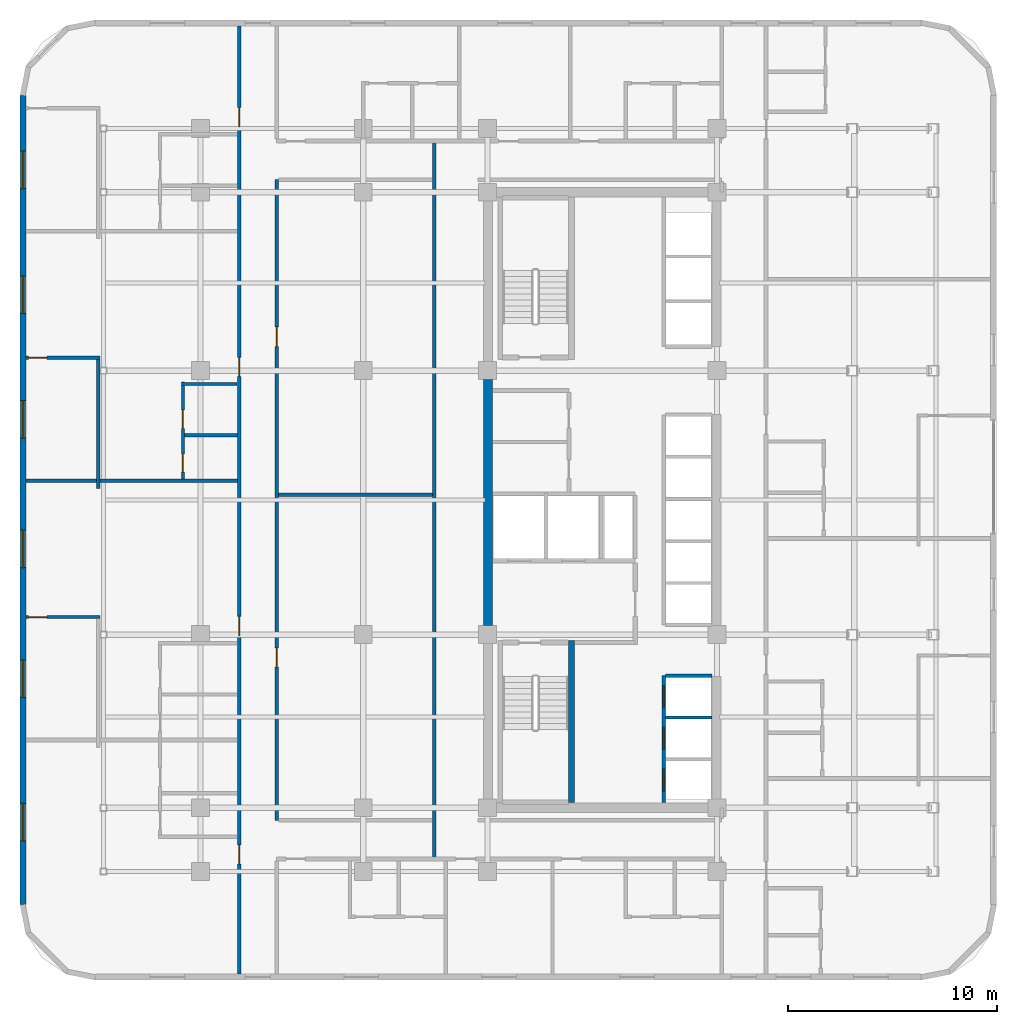
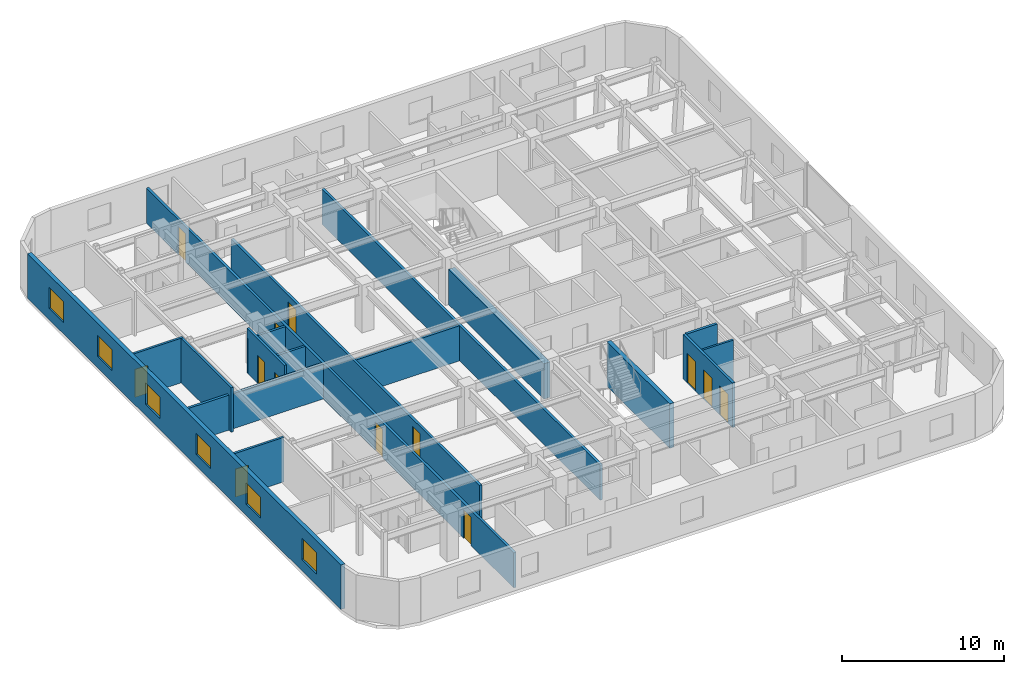
# One storey, part 8 of 13: 17 walls, 13 doors, 6 windows, 19 openings.
"""IFC4 building model written with IfcOpenShell, lengths in metres."""

from ifc_helpers import new_model, si_unit, direction, frame, frame_2d, origin, place, context, subcontext, project, spatial, rectangle, extrude, material, layer, layer_set, type_object, element, fill, save


model = new_model("IFC4")

# Units and contexts
model_context = context("Model", 3, precision=1e-05, world=origin(), true_north=direction((0.0, 1.0)))
body_context = subcontext(model_context, "Body", "Model", "MODEL_VIEW")
ifc_project = project(units=[si_unit("LENGTHUNIT", "METRE"), si_unit("AREAUNIT", "SQUARE_METRE"), si_unit("VOLUMEUNIT", "CUBIC_METRE"), si_unit("PLANEANGLEUNIT", "RADIAN"), si_unit("MASSUNIT", "GRAM", prefix="KILO")], contexts=[model_context])

# Site, building, storey
site_placement = place(None, origin())
site = spatial("IfcSite", under=ifc_project, at=site_placement, CompositionType="ELEMENT")
building_placement = place(site_placement, origin())
building = spatial("IfcBuilding", under=site, at=building_placement, Name="Ochreholt Gables", CompositionType="ELEMENT")
storey_placement = place(building_placement, frame((0.0, 0.0, 49.199951171875)))
storey = spatial("IfcBuildingStorey", under=building, at=storey_placement, Name="L12", CompositionType="ELEMENT", Elevation=49.199951171875)

# Wall
ifc_material_1 = material(Name="Concrete 60 MPa", Category="concrete")
ifc_layer_1 = layer(ifc_material_1, 0.449951171875, Name="Concrete 60 MPa")
ifc_layer_set_1 = layer_set([ifc_layer_1], Name="Concrete 60 MPa")
wall_type_1 = type_object("IfcWallType", Name="WALL-CSW-450", PredefinedType="SHEAR", material=ifc_layer_set_1)
wall_1_placement = place(storey_placement, frame((24.22509765625, 17.97509765625, 0.0), z_axis=(0.0, 0.0, 1.0), x_axis=(0.0, 1.0, 0.0)))
element("IfcWall", 1, at=wall_1_placement, inside=storey, type_object=wall_type_1, Name="L12 Core West Shear Wall WM", PredefinedType="SHEAR", context=body_context, shape_type="SweptSolid", body=[
    extrude(rectangle(XDim=11.7998046875, YDim=0.449951171875, at=frame_2d((5.89990234375, 0.0))), origin(), (0.0, 0.0, 1.0), 2.6669921875),
])

# Wall, openings, windows
ifc_material_2 = material(Name="Precast concrete 40 MPa", Category="concrete")
ifc_layer_2 = layer(ifc_material_2, 0.2900390625, Name="Precast concrete 40 MPa")
ifc_layer_set_2 = layer_set([ifc_layer_2], Name="Precast concrete 40 MPa")
wall_type_2 = type_object("IfcWallType", Name="WALL-EXT-290", PredefinedType="SOLIDWALL", material=ifc_layer_set_2)
wall_2_placement = place(storey_placement, frame((1.945068359375, 43.3798828125, 0.0), z_axis=(0.0, 0.0, 1.0), x_axis=(0.0, -1.0, 0.0)))
wall_2 = element("IfcWall", 2, at=wall_2_placement, inside=storey, type_object=wall_type_2, Name="L12 West Exterior Wall", PredefinedType="SOLIDWALL", context=body_context, shape_type="SweptSolid", body=[
    extrude(rectangle(XDim=38.759765625, YDim=0.2900390625, at=frame_2d((19.3798828125, 0.0))), origin(), (0.0, 0.0, 1.0), 3.360107421875),
])
opening_1_placement = place(wall_2_placement, frame((33.919921875, 0.0, 0.85009765625)))
opening_1 = element("IfcOpeningElement", 3, at=opening_1_placement, cuts=wall_2, Name="Opening WN-1", PredefinedType="OPENING", context=body_context, shape_type="SweptSolid", body=[
    extrude(rectangle(XDim=1.800048828125, YDim=1.60009765625, at=frame_2d((0.89990234375, 0.800048828125))), frame((0.0, 0.155029296875, 0.0), z_axis=(0.0, -1.0, 0.0), x_axis=(1.0, 0.0, 0.0)), (0.0, 0.0, 1.0), 0.31005859375),
])
opening_2_placement = place(wall_2_placement, frame((27.034912109375, 0.0, 0.85009765625)))
opening_2 = element("IfcOpeningElement", 4, at=opening_2_placement, cuts=wall_2, Name="Opening WN-1", PredefinedType="OPENING", context=body_context, shape_type="SweptSolid", body=[
    extrude(rectangle(XDim=1.800048828125, YDim=1.60009765625, at=frame_2d((0.89990234375, 0.800048828125))), frame((0.0, 0.155029296875, 0.0), z_axis=(0.0, -1.0, 0.0), x_axis=(1.0, 0.0, 0.0)), (0.0, 0.0, 1.0), 0.31005859375),
])
opening_3_placement = place(wall_2_placement, frame((20.824951171875, 0.0, 0.85009765625)))
opening_3 = element("IfcOpeningElement", 5, at=opening_3_placement, cuts=wall_2, Name="Opening WN-1", PredefinedType="OPENING", context=body_context, shape_type="SweptSolid", body=[
    extrude(rectangle(XDim=1.800048828125, YDim=1.60009765625, at=frame_2d((0.89990234375, 0.800048828125))), frame((0.0, 0.155029296875, 0.0), z_axis=(0.0, -1.0, 0.0), x_axis=(1.0, 0.0, 0.0)), (0.0, 0.0, 1.0), 0.31005859375),
])
opening_4_placement = place(wall_2_placement, frame((14.614990234375, 0.0, 0.85009765625)))
opening_4 = element("IfcOpeningElement", 6, at=opening_4_placement, cuts=wall_2, Name="Opening WN-1", PredefinedType="OPENING", context=body_context, shape_type="SweptSolid", body=[
    extrude(rectangle(XDim=1.800048828125, YDim=1.60009765625, at=frame_2d((0.89990234375, 0.800048828125))), frame((0.0, 0.155029296875, 0.0), z_axis=(0.0, -1.0, 0.0), x_axis=(1.0, 0.0, 0.0)), (0.0, 0.0, 1.0), 0.31005859375),
])
opening_5_placement = place(wall_2_placement, frame((8.635009765625, 0.0, 0.85009765625)))
opening_5 = element("IfcOpeningElement", 7, at=opening_5_placement, cuts=wall_2, Name="Opening WN-1", PredefinedType="OPENING", context=body_context, shape_type="SweptSolid", body=[
    extrude(rectangle(XDim=1.800048828125, YDim=1.60009765625, at=frame_2d((0.89990234375, 0.800048828125))), frame((0.0, 0.155029296875, 0.0), z_axis=(0.0, -1.0, 0.0), x_axis=(1.0, 0.0, 0.0)), (0.0, 0.0, 1.0), 0.31005859375),
])
opening_6_placement = place(wall_2_placement, frame((2.655029296875, 0.0, 0.85009765625)))
opening_6 = element("IfcOpeningElement", 8, at=opening_6_placement, cuts=wall_2, Name="Opening WN-1", PredefinedType="OPENING", context=body_context, shape_type="SweptSolid", body=[
    extrude(rectangle(XDim=1.800048828125, YDim=1.60009765625, at=frame_2d((0.89990234375, 0.800048828125))), frame((0.0, 0.155029296875, 0.0), z_axis=(0.0, -1.0, 0.0), x_axis=(1.0, 0.0, 0.0)), (0.0, 0.0, 1.0), 0.31005859375),
])
ifc_material_3 = material(Name="Triple-Glazed Thermally Broken Aluminium Window", Category="aluminium")
window_type = type_object("IfcWindowType", Name="WIN-RES-1800", PartitioningType="SINGLE_PANEL", PredefinedType="WINDOW", material=ifc_material_3)
window_1_placement = place(opening_1_placement, origin())
window_1 = element("IfcWindow", 9, at=window_1_placement, inside=storey, type_object=window_type, Name="L12 Window W-EXT-W-L12-1", OverallHeight=1.60009765625, OverallWidth=1.800048828125, PartitioningType="SINGLE_PANEL", PredefinedType="WINDOW", context=body_context, shape_type="SweptSolid", body=[
    extrude(rectangle(XDim=1.800048828125, YDim=1.60009765625, at=frame_2d((0.89990234375, 0.800048828125))), frame((0.0, 0.030029296875, 0.0), z_axis=(0.0, -1.0, 0.0), x_axis=(1.0, 0.0, 0.0)), (0.0, 0.0, 1.0), 0.06005859375),
])
fill(opening_1, window_1)
window_2_placement = place(opening_2_placement, origin())
window_2 = element("IfcWindow", 10, at=window_2_placement, inside=storey, type_object=window_type, Name="L12 Window W-EXT-W-L12-2", OverallHeight=1.60009765625, OverallWidth=1.800048828125, PartitioningType="SINGLE_PANEL", PredefinedType="WINDOW", context=body_context, shape_type="SweptSolid", body=[
    extrude(rectangle(XDim=1.800048828125, YDim=1.60009765625, at=frame_2d((0.89990234375, 0.800048828125))), frame((0.0, 0.030029296875, 0.0), z_axis=(0.0, -1.0, 0.0), x_axis=(1.0, 0.0, 0.0)), (0.0, 0.0, 1.0), 0.06005859375),
])
fill(opening_2, window_2)
window_3_placement = place(opening_3_placement, origin())
window_3 = element("IfcWindow", 11, at=window_3_placement, inside=storey, type_object=window_type, Name="L12 Window W-EXT-W-L12-3", OverallHeight=1.60009765625, OverallWidth=1.800048828125, PartitioningType="SINGLE_PANEL", PredefinedType="WINDOW", context=body_context, shape_type="SweptSolid", body=[
    extrude(rectangle(XDim=1.800048828125, YDim=1.60009765625, at=frame_2d((0.89990234375, 0.800048828125))), frame((0.0, 0.030029296875, 0.0), z_axis=(0.0, -1.0, 0.0), x_axis=(1.0, 0.0, 0.0)), (0.0, 0.0, 1.0), 0.06005859375),
])
fill(opening_3, window_3)
window_4_placement = place(opening_4_placement, origin())
window_4 = element("IfcWindow", 12, at=window_4_placement, inside=storey, type_object=window_type, Name="L12 Window W-EXT-W-L12-4", OverallHeight=1.60009765625, OverallWidth=1.800048828125, PartitioningType="SINGLE_PANEL", PredefinedType="WINDOW", context=body_context, shape_type="SweptSolid", body=[
    extrude(rectangle(XDim=1.800048828125, YDim=1.60009765625, at=frame_2d((0.89990234375, 0.800048828125))), frame((0.0, 0.030029296875, 0.0), z_axis=(0.0, -1.0, 0.0), x_axis=(1.0, 0.0, 0.0)), (0.0, 0.0, 1.0), 0.06005859375),
])
fill(opening_4, window_4)
window_5_placement = place(opening_5_placement, origin())
window_5 = element("IfcWindow", 13, at=window_5_placement, inside=storey, type_object=window_type, Name="L12 Window W-EXT-W-L12-5", OverallHeight=1.60009765625, OverallWidth=1.800048828125, PartitioningType="SINGLE_PANEL", PredefinedType="WINDOW", context=body_context, shape_type="SweptSolid", body=[
    extrude(rectangle(XDim=1.800048828125, YDim=1.60009765625, at=frame_2d((0.89990234375, 0.800048828125))), frame((0.0, 0.030029296875, 0.0), z_axis=(0.0, -1.0, 0.0), x_axis=(1.0, 0.0, 0.0)), (0.0, 0.0, 1.0), 0.06005859375),
])
fill(opening_5, window_5)
window_6_placement = place(opening_6_placement, origin())
window_6 = element("IfcWindow", 14, at=window_6_placement, inside=storey, type_object=window_type, Name="L12 Window W-EXT-W-L12-6", OverallHeight=1.60009765625, OverallWidth=1.800048828125, PartitioningType="SINGLE_PANEL", PredefinedType="WINDOW", context=body_context, shape_type="SweptSolid", body=[
    extrude(rectangle(XDim=1.800048828125, YDim=1.60009765625, at=frame_2d((0.89990234375, 0.800048828125))), frame((0.0, 0.030029296875, 0.0), z_axis=(0.0, -1.0, 0.0), x_axis=(1.0, 0.0, 0.0)), (0.0, 0.0, 1.0), 0.06005859375),
])
fill(opening_6, window_6)

# Wall
ifc_material_4 = material(Name="Fire-Rated Gypsum Acoustic Partition", Category="gypsum")
ifc_layer_3 = layer(ifc_material_4, 0.179931640625, Name="Fire-Rated Gypsum Acoustic Partition")
ifc_layer_set_3 = layer_set([ifc_layer_3], Name="Fire-Rated Gypsum Acoustic Partition")
wall_type_3 = type_object("IfcWallType", Name="WALL-INT-CR180", PredefinedType="STANDARD", material=ifc_layer_set_3)
wall_3_placement = place(storey_placement, frame((21.64990234375, 6.800048828125, 0.0), z_axis=(0.0, 0.0, 1.0), x_axis=(0.0, 1.0, 0.0)))
element("IfcWall", 15, at=wall_3_placement, inside=storey, type_object=wall_type_3, Name="L12 Interior Wall WI-C1W-L12", PredefinedType="STANDARD", context=body_context, shape_type="SweptSolid", body=[
    extrude(rectangle(XDim=34.39990234375, YDim=0.179931640625, at=frame_2d((17.199951171875, 0.0))), origin(), (0.0, 0.0, 1.0), 2.649169921875),
])

# Wall, openings, doors
wall_4_placement = place(storey_placement, frame((12.300048828125, 1.2900390625, 0.0), z_axis=(0.0, 0.0, 1.0), x_axis=(0.0, 1.0, 0.0)))
wall_4 = element("IfcWall", 16, at=wall_4_placement, inside=storey, type_object=wall_type_3, Name="L12 Interior Wall WI-C1WW-L12", PredefinedType="STANDARD", context=body_context, shape_type="SweptSolid", body=[
    extrude(rectangle(XDim=45.419921875, YDim=0.179931640625, at=frame_2d((22.7099609375, 0.0))), origin(), (0.0, 0.0, 1.0), 2.649169921875),
])
opening_7_placement = place(wall_4_placement, frame((5.27001953125, 0.0, 0.0)))
opening_7 = element("IfcOpeningElement", 17, at=opening_7_placement, cuts=wall_4, Name="Opening D-UN1", PredefinedType="OPENING", context=body_context, shape_type="SweptSolid", body=[
    extrude(rectangle(XDim=0.919921875, YDim=2.14990234375, at=frame_2d((0.4599609375, 1.074951171875))), frame((0.0, 0.099853515625, 0.0), z_axis=(0.0, -1.0, 0.0), x_axis=(1.0, 0.0, 0.0)), (0.0, 0.0, 1.0), 0.199951171875),
])
opening_8_placement = place(wall_4_placement, frame((16.2099609375, 0.0, 0.0)))
opening_8 = element("IfcOpeningElement", 18, at=opening_8_placement, cuts=wall_4, Name="Opening D-UN1", PredefinedType="OPENING", context=body_context, shape_type="SweptSolid", body=[
    extrude(rectangle(XDim=0.919921875, YDim=2.14990234375, at=frame_2d((0.4599609375, 1.074951171875))), frame((0.0, 0.099853515625, 0.0), z_axis=(0.0, -1.0, 0.0), x_axis=(1.0, 0.0, 0.0)), (0.0, 0.0, 1.0), 0.199951171875),
])
opening_9_placement = place(wall_4_placement, frame((28.6298828125, 0.0, 0.0)))
opening_9 = element("IfcOpeningElement", 19, at=opening_9_placement, cuts=wall_4, Name="Opening D-UN1", PredefinedType="OPENING", context=body_context, shape_type="SweptSolid", body=[
    extrude(rectangle(XDim=0.919921875, YDim=2.14990234375, at=frame_2d((0.4599609375, 1.074951171875))), frame((0.0, 0.099853515625, 0.0), z_axis=(0.0, -1.0, 0.0), x_axis=(1.0, 0.0, 0.0)), (0.0, 0.0, 1.0), 0.199951171875),
])
opening_10_placement = place(wall_4_placement, frame((40.590087890625, 0.0, 0.0)))
opening_10 = element("IfcOpeningElement", 20, at=opening_10_placement, cuts=wall_4, Name="Opening D-UN1", PredefinedType="OPENING", context=body_context, shape_type="SweptSolid", body=[
    extrude(rectangle(XDim=0.919921875, YDim=2.14990234375, at=frame_2d((0.4599609375, 1.074951171875))), frame((0.0, 0.099853515625, 0.0), z_axis=(0.0, -1.0, 0.0), x_axis=(1.0, 0.0, 0.0)), (0.0, 0.0, 1.0), 0.199951171875),
])
ifc_material_5 = material(Name="Engineered Oak Timber", Category="wood")
door_type_1 = type_object("IfcDoorType", Name="DR-INT-UNT920", OperationType="NOTDEFINED", PredefinedType="DOOR", material=ifc_material_5)
door_1_placement = place(opening_7_placement, origin())
door_1 = element("IfcDoor", 21, at=door_1_placement, inside=storey, type_object=door_type_1, Name="L12 Door D-U-L12W1-ENT", OperationType="SINGLE_SWING_RIGHT", OverallHeight=2.14990234375, OverallWidth=0.919921875, PredefinedType="DOOR", context=body_context, shape_type="SweptSolid", body=[
    extrude(rectangle(XDim=0.919921875, YDim=2.14990234375, at=frame_2d((0.4599609375, 1.074951171875))), frame((0.0, 0.02490234375, 0.0), z_axis=(0.0, -1.0, 0.0), x_axis=(1.0, 0.0, 0.0)), (0.0, 0.0, 1.0), 0.050048828125),
])
fill(opening_7, door_1)
door_2_placement = place(opening_8_placement, origin())
door_2 = element("IfcDoor", 22, at=door_2_placement, inside=storey, type_object=door_type_1, Name="L12 Door D-U-L12W2-ENT", OperationType="SINGLE_SWING_LEFT", OverallHeight=2.14990234375, OverallWidth=0.919921875, PredefinedType="DOOR", context=body_context, shape_type="SweptSolid", body=[
    extrude(rectangle(XDim=0.919921875, YDim=2.14990234375, at=frame_2d((0.4599609375, 1.074951171875))), frame((0.0, 0.02490234375, 0.0), z_axis=(0.0, -1.0, 0.0), x_axis=(1.0, 0.0, 0.0)), (0.0, 0.0, 1.0), 0.050048828125),
])
fill(opening_8, door_2)
door_3_placement = place(opening_9_placement, origin())
door_3 = element("IfcDoor", 23, at=door_3_placement, inside=storey, type_object=door_type_1, Name="L12 Door D-U-L12W3-ENT", OperationType="SINGLE_SWING_RIGHT", OverallHeight=2.14990234375, OverallWidth=0.919921875, PredefinedType="DOOR", context=body_context, shape_type="SweptSolid", body=[
    extrude(rectangle(XDim=0.919921875, YDim=2.14990234375, at=frame_2d((0.4599609375, 1.074951171875))), frame((0.0, 0.02490234375, 0.0), z_axis=(0.0, -1.0, 0.0), x_axis=(1.0, 0.0, 0.0)), (0.0, 0.0, 1.0), 0.050048828125),
])
fill(opening_9, door_3)
door_4_placement = place(opening_10_placement, origin())
door_4 = element("IfcDoor", 24, at=door_4_placement, inside=storey, type_object=door_type_1, Name="L12 Door D-U-L12W4-ENT", OperationType="SINGLE_SWING_LEFT", OverallHeight=2.14990234375, OverallWidth=0.919921875, PredefinedType="DOOR", context=body_context, shape_type="SweptSolid", body=[
    extrude(rectangle(XDim=0.919921875, YDim=2.14990234375, at=frame_2d((0.4599609375, 1.074951171875))), frame((0.0, 0.02490234375, 0.0), z_axis=(0.0, -1.0, 0.0), x_axis=(1.0, 0.0, 0.0)), (0.0, 0.0, 1.0), 0.050048828125),
])
fill(opening_10, door_4)

wall_5_placement = place(storey_placement, frame((14.10009765625, 8.64990234375, 0.0), z_axis=(0.0, 0.0, 1.0), x_axis=(0.0, 1.0, 0.0)))
wall_5 = element("IfcWall", 25, at=wall_5_placement, inside=storey, type_object=wall_type_3, Name="L12 Interior Wall WI-C1WE-L12", PredefinedType="STANDARD", context=body_context, shape_type="SweptSolid", body=[
    extrude(rectangle(XDim=30.7001953125, YDim=0.179931640625, at=frame_2d((15.35009765625, 0.0))), origin(), (0.0, 0.0, 1.0), 2.649169921875),
])
opening_11_placement = place(wall_5_placement, frame((7.35009765625, 0.0, 0.0)))
opening_11 = element("IfcOpeningElement", 26, at=opening_11_placement, cuts=wall_5, Name="Opening D-SV1", PredefinedType="OPENING", context=body_context, shape_type="SweptSolid", body=[
    extrude(rectangle(XDim=0.89990234375, YDim=2.10009765625, at=frame_2d((0.449951171875, 1.050048828125))), frame((0.0, 0.099853515625, 0.0), z_axis=(0.0, -1.0, 0.0), x_axis=(1.0, 0.0, 0.0)), (0.0, 0.0, 1.0), 0.199951171875),
])
opening_12_placement = place(wall_5_placement, frame((22.699951171875, 0.0, 0.0)))
opening_12 = element("IfcOpeningElement", 27, at=opening_12_placement, cuts=wall_5, Name="Opening D-GN1", PredefinedType="OPENING", context=body_context, shape_type="SweptSolid", body=[
    extrude(rectangle(XDim=0.949951171875, YDim=2.14990234375, at=frame_2d((0.47509765625, 1.074951171875))), frame((0.0, 0.099853515625, 0.0), z_axis=(0.0, -1.0, 0.0), x_axis=(1.0, 0.0, 0.0)), (0.0, 0.0, 1.0), 0.199951171875),
])
door_type_2 = type_object("IfcDoorType", Name="DR-INT-GEN950", OperationType="NOTDEFINED", PredefinedType="DOOR", material=ifc_material_5)
door_5_placement = place(opening_12_placement, origin())
door_5 = element("IfcDoor", 28, at=door_5_placement, inside=storey, type_object=door_type_2, Name="L12 Door D-C1IW2-L12", OperationType="SINGLE_SWING_RIGHT", OverallHeight=2.14990234375, OverallWidth=0.949951171875, PredefinedType="DOOR", context=body_context, shape_type="SweptSolid", body=[
    extrude(rectangle(XDim=0.949951171875, YDim=2.14990234375, at=frame_2d((0.47509765625, 1.074951171875))), frame((0.0, 0.02490234375, 0.0), z_axis=(0.0, -1.0, 0.0), x_axis=(1.0, 0.0, 0.0)), (0.0, 0.0, 1.0), 0.050048828125),
])
fill(opening_12, door_5)
ifc_material_6 = material(Name="Hollow Metal Steel", Category="steel")
door_type_3 = type_object("IfcDoorType", Name="DR-INT-SRV900", OperationType="NOTDEFINED", PredefinedType="DOOR", material=ifc_material_6)
door_6_placement = place(opening_11_placement, origin())
door_6 = element("IfcDoor", 29, at=door_6_placement, inside=storey, type_object=door_type_3, Name="L12 Door D-C1IW1-L12", OperationType="SINGLE_SWING_LEFT", OverallHeight=2.10009765625, OverallWidth=0.89990234375, PredefinedType="DOOR", context=body_context, shape_type="SweptSolid", body=[
    extrude(rectangle(XDim=0.89990234375, YDim=2.10009765625, at=frame_2d((0.449951171875, 1.050048828125))), frame((0.0, 0.02490234375, 0.0), z_axis=(0.0, -1.0, 0.0), x_axis=(1.0, 0.0, 0.0)), (0.0, 0.0, 1.0), 0.050048828125),
])
fill(opening_11, door_6)

# Walls
ifc_material_7 = material(Name="Double-Stud Acoustic Demising Wall", Category="gypsum")
ifc_layer_4 = layer(ifc_material_7, 0.179931640625, Name="Double-Stud Acoustic Demising Wall")
ifc_layer_set_4 = layer_set([ifc_layer_4], Name="Double-Stud Acoustic Demising Wall")
wall_type_4 = type_object("IfcWallType", Name="WALL-INT-DM180", PredefinedType="PARTITIONING", material=ifc_layer_set_4)
wall_6_placement = place(storey_placement, frame((2.090087890625, 24.919921875, 0.0), z_axis=(0.0, 0.0, 1.0), x_axis=(1.0, 0.0, 0.0)))
element("IfcWall", 30, at=wall_6_placement, inside=storey, type_object=wall_type_4, Name="L12 Interior Wall WI-UDW3-L12", PredefinedType="PARTITIONING", context=body_context, shape_type="SweptSolid", body=[
    extrude(rectangle(XDim=10.119873046875, YDim=0.179931640625, at=frame_2d((5.06005859375, 0.0))), origin(), (0.0, 0.0, 1.0), 2.649169921875),
])
ifc_material_8 = material(Name="Moisture-Resistant Plumbing Chase Wall", Category="gypsum")
ifc_layer_5 = layer(ifc_material_8, 0.159912109375, Name="Moisture-Resistant Plumbing Chase Wall")
ifc_layer_set_5 = layer_set([ifc_layer_5], Name="Moisture-Resistant Plumbing Chase Wall")
wall_type_5 = type_object("IfcWallType", Name="WALL-INT-PL160", PredefinedType="PLUMBINGWALL", material=ifc_layer_set_5)
wall_7_placement = place(storey_placement, frame((9.528076171875, 29.56005859375, 0.0), z_axis=(0.0, 0.0, 1.0), x_axis=(1.0, 0.0, 0.0)))
element("IfcWall", 31, at=wall_7_placement, inside=storey, type_object=wall_type_5, Name="L12 Interior Wall WU-L12W3-WYN", PredefinedType="PLUMBINGWALL", context=body_context, shape_type="SweptSolid", body=[
    extrude(rectangle(XDim=2.681884765625, YDim=0.159912109375, at=frame_2d((1.3408203125, 0.0))), origin(), (0.0, 0.0, 1.0), 2.649169921875),
])

# Wall, openings, doors
wall_8_placement = place(storey_placement, frame((9.60791015625, 25.010009765625, 0.0), z_axis=(0.0, 0.0, 1.0), x_axis=(0.0, 1.0, 0.0)))
wall_8 = element("IfcWall", 32, at=wall_8_placement, inside=storey, type_object=wall_type_5, Name="L12 Interior Wall WU-L12W3-WX", PredefinedType="PLUMBINGWALL", context=body_context, shape_type="SweptSolid", body=[
    extrude(rectangle(XDim=4.639892578125, YDim=0.159912109375, at=frame_2d((2.31982421875, 0.0))), origin(), (0.0, 0.0, 1.0), 3.360107421875),
])
opening_13_placement = place(wall_8_placement, frame((0.330078125, 0.0, 0.0)))
opening_13 = element("IfcOpeningElement", 33, at=opening_13_placement, cuts=wall_8, Name="Opening D-BT1", PredefinedType="OPENING", context=body_context, shape_type="SweptSolid", body=[
    extrude(rectangle(XDim=0.860107421875, YDim=2.1201171875, at=frame_2d((0.43017578125, 1.06005859375))), frame((0.0, 0.08984375, 0.0), z_axis=(0.0, -1.0, 0.0), x_axis=(1.0, 0.0, 0.0)), (0.0, 0.0, 1.0), 0.179931640625),
])
opening_14_placement = place(wall_8_placement, frame((2.423095703125, 0.0, 0.0)))
opening_14 = element("IfcOpeningElement", 34, at=opening_14_placement, cuts=wall_8, Name="Opening D-GN2", PredefinedType="OPENING", context=body_context, shape_type="SweptSolid", body=[
    extrude(rectangle(XDim=0.8798828125, YDim=2.1201171875, at=frame_2d((0.43994140625, 1.06005859375))), frame((0.0, 0.08984375, 0.0), z_axis=(0.0, -1.0, 0.0), x_axis=(1.0, 0.0, 0.0)), (0.0, 0.0, 1.0), 0.179931640625),
])
door_type_4 = type_object("IfcDoorType", Name="DR-INT-BTH860", OperationType="NOTDEFINED", PredefinedType="DOOR", material=ifc_material_5)
door_7_placement = place(opening_13_placement, origin())
door_7 = element("IfcDoor", 35, at=door_7_placement, inside=storey, type_object=door_type_4, Name="L12 Door D-U-L12W3-BTH", OperationType="SINGLE_SWING_LEFT", OverallHeight=2.1201171875, OverallWidth=0.860107421875, PredefinedType="DOOR", context=body_context, shape_type="SweptSolid", body=[
    extrude(rectangle(XDim=0.860107421875, YDim=2.1201171875, at=frame_2d((0.43017578125, 1.06005859375))), frame((0.0, 0.02490234375, 0.0), z_axis=(0.0, -1.0, 0.0), x_axis=(1.0, 0.0, 0.0)), (0.0, 0.0, 1.0), 0.050048828125),
])
fill(opening_13, door_7)
door_type_5 = type_object("IfcDoorType", Name="DR-INT-GEN880", OperationType="NOTDEFINED", PredefinedType="DOOR", material=ifc_material_5)
door_8_placement = place(opening_14_placement, origin())
door_8 = element("IfcDoor", 36, at=door_8_placement, inside=storey, type_object=door_type_5, Name="L12 Door D-U-L12W3-KIT", OperationType="SINGLE_SWING_RIGHT", OverallHeight=2.1201171875, OverallWidth=0.8798828125, PredefinedType="DOOR", context=body_context, shape_type="SweptSolid", body=[
    extrude(rectangle(XDim=0.8798828125, YDim=2.1201171875, at=frame_2d((0.43994140625, 1.06005859375))), frame((0.0, 0.02490234375, 0.0), z_axis=(0.0, -1.0, 0.0), x_axis=(1.0, 0.0, 0.0)), (0.0, 0.0, 1.0), 0.050048828125),
])
fill(opening_14, door_8)

# Wall
wall_9_placement = place(storey_placement, frame((9.68798828125, 27.10302734375, 0.0), z_axis=(0.0, 0.0, 1.0), x_axis=(1.0, 0.0, 0.0)))
element("IfcWall", 37, at=wall_9_placement, inside=storey, type_object=wall_type_5, Name="L12 Interior Wall WU-L12W3-WM", PredefinedType="PLUMBINGWALL", context=body_context, shape_type="SweptSolid", body=[
    extrude(rectangle(XDim=2.52197265625, YDim=0.159912109375, at=frame_2d((1.260986328125, 0.0))), origin(), (0.0, 0.0, 1.0), 2.649169921875),
])

# Wall, opening, door
ifc_material_9 = material(Name="Gypsum Acoustic Stud Partition", Category="gypsum")
ifc_layer_6 = layer(ifc_material_9, 0.159912109375, Name="Gypsum Acoustic Stud Partition")
ifc_layer_set_6 = layer_set([ifc_layer_6], Name="Gypsum Acoustic Stud Partition")
wall_type_6 = type_object("IfcWallType", Name="WALL-INT-PT160", PredefinedType="PARTITIONING", material=ifc_layer_set_6)
wall_10_placement = place(storey_placement, frame((2.090087890625, 18.389892578125, 0.0), z_axis=(0.0, 0.0, 1.0), x_axis=(1.0, 0.0, 0.0)))
wall_10 = element("IfcWall", 38, at=wall_10_placement, inside=storey, type_object=wall_type_6, Name="L12 Interior Wall WU-L12W2-STN", PredefinedType="PARTITIONING", context=body_context, shape_type="SweptSolid", body=[
    extrude(rectangle(XDim=3.539794921875, YDim=0.159912109375, at=frame_2d((1.77001953125, 0.0))), origin(), (0.0, 0.0, 1.0), 3.360107421875),
])
opening_15_placement = place(wall_10_placement, frame((0.1201171875, 0.0, 0.0)))
opening_15 = element("IfcOpeningElement", 39, at=opening_15_placement, cuts=wall_10, Name="Opening D-GN2", PredefinedType="OPENING", context=body_context, shape_type="SweptSolid", body=[
    extrude(rectangle(XDim=0.8798828125, YDim=2.1201171875, at=frame_2d((0.43994140625, 1.06005859375))), frame((0.0, 0.08984375, 0.0), z_axis=(0.0, -1.0, 0.0), x_axis=(1.0, 0.0, 0.0)), (0.0, 0.0, 1.0), 0.179931640625),
])
door_9_placement = place(opening_15_placement, origin())
door_9 = element("IfcDoor", 40, at=door_9_placement, inside=storey, type_object=door_type_5, Name="L12 Door D-U-L12W2-STD", OperationType="SINGLE_SWING_RIGHT", OverallHeight=2.1201171875, OverallWidth=0.8798828125, PredefinedType="DOOR", context=body_context, shape_type="SweptSolid", body=[
    extrude(rectangle(XDim=0.8798828125, YDim=2.1201171875, at=frame_2d((0.43994140625, 1.06005859375))), frame((0.0, 0.02490234375, 0.0), z_axis=(0.0, -1.0, 0.0), x_axis=(1.0, 0.0, 0.0)), (0.0, 0.0, 1.0), 0.050048828125),
])
fill(opening_15, door_9)

# Wall
wall_11_placement = place(storey_placement, frame((5.550048828125, 24.56005859375, 0.0), z_axis=(0.0, 0.0, 1.0), x_axis=(0.0, 1.0, 0.0)))
element("IfcWall", 41, at=wall_11_placement, inside=storey, type_object=wall_type_6, Name="L12 Interior Wall WU-L12W3-STW", PredefinedType="PARTITIONING", context=body_context, shape_type="SweptSolid", body=[
    extrude(rectangle(XDim=6.25, YDim=0.159912109375, at=frame_2d((3.125, 0.0))), origin(), (0.0, 0.0, 1.0), 3.360107421875),
])

# Wall, opening, door
wall_12_placement = place(storey_placement, frame((2.090087890625, 30.81005859375, 0.0), z_axis=(0.0, 0.0, 1.0), x_axis=(1.0, 0.0, 0.0)))
wall_12 = element("IfcWall", 42, at=wall_12_placement, inside=storey, type_object=wall_type_6, Name="L12 Interior Wall WU-L12W3-STN", PredefinedType="PARTITIONING", context=body_context, shape_type="SweptSolid", body=[
    extrude(rectangle(XDim=3.539794921875, YDim=0.159912109375, at=frame_2d((1.77001953125, 0.0))), origin(), (0.0, 0.0, 1.0), 3.360107421875),
])
opening_16_placement = place(wall_12_placement, frame((0.1201171875, 0.0, 0.0)))
opening_16 = element("IfcOpeningElement", 43, at=opening_16_placement, cuts=wall_12, Name="Opening D-GN2", PredefinedType="OPENING", context=body_context, shape_type="SweptSolid", body=[
    extrude(rectangle(XDim=0.8798828125, YDim=2.1201171875, at=frame_2d((0.43994140625, 1.06005859375))), frame((0.0, 0.08984375, 0.0), z_axis=(0.0, -1.0, 0.0), x_axis=(1.0, 0.0, 0.0)), (0.0, 0.0, 1.0), 0.179931640625),
])
door_10_placement = place(opening_16_placement, origin())
door_10 = element("IfcDoor", 44, at=door_10_placement, inside=storey, type_object=door_type_5, Name="L12 Door D-U-L12W3-STD", OperationType="SINGLE_SWING_LEFT", OverallHeight=2.1201171875, OverallWidth=0.8798828125, PredefinedType="DOOR", context=body_context, shape_type="SweptSolid", body=[
    extrude(rectangle(XDim=0.8798828125, YDim=2.1201171875, at=frame_2d((0.43994140625, 1.06005859375))), frame((0.0, 0.02490234375, 0.0), z_axis=(0.0, -1.0, 0.0), x_axis=(1.0, 0.0, 0.0)), (0.0, 0.0, 1.0), 0.050048828125),
])
fill(opening_16, door_10)

# Walls
wall_13_placement = place(storey_placement, frame((14.18994140625, 24.25, 0.0), z_axis=(0.0, 0.0, 1.0), x_axis=(1.0, 0.0, 0.0)))
element("IfcWall", 45, at=wall_13_placement, inside=storey, type_object=wall_type_6, Name="L12 Interior Wall WI-UDWI1-L12", PredefinedType="PARTITIONING", context=body_context, shape_type="SweptSolid", body=[
    extrude(rectangle(XDim=7.3701171875, YDim=0.159912109375, at=frame_2d((3.68505859375, 0.0))), origin(), (0.0, 0.0, 1.0), 2.649169921875),
])
ifc_material_10 = material(Name="Gypsum Shaftliner and Steel Stud", Category="steel")
ifc_layer_7 = layer(ifc_material_10, 0.14990234375, Name="Gypsum Shaftliner and Steel Stud")
ifc_layer_set_7 = layer_set([ifc_layer_7], Name="Gypsum Shaftliner and Steel Stud")
wall_type_7 = type_object("IfcWallType", Name="WALL-INT-SH150", PredefinedType="STANDARD", material=ifc_layer_set_7)
wall_14_placement = place(storey_placement, frame((32.739990234375, 13.570068359375, 0.0), z_axis=(0.0, 0.0, 1.0), x_axis=(1.0, 0.0, 0.0)))
element("IfcWall", 46, at=wall_14_placement, inside=storey, type_object=wall_type_7, Name="L12 Interior Wall WI-LFL-D2-L12", PredefinedType="STANDARD", context=body_context, shape_type="SweptSolid", body=[
    extrude(rectangle(XDim=2.2099609375, YDim=0.14990234375, at=frame_2d((1.10498046875, 0.0))), origin(), (0.0, 0.0, 1.0), 3.360107421875),
])

# Wall, openings, doors
ifc_layer_8 = layer(ifc_material_10, 0.179931640625, Name="Gypsum Shaftliner and Steel Stud")
ifc_layer_set_8 = layer_set([ifc_layer_8], Name="Gypsum Shaftliner and Steel Stud")
wall_type_8 = type_object("IfcWallType", Name="WALL-INT-SH180", PredefinedType="STANDARD", material=ifc_layer_set_8)
wall_15_placement = place(storey_placement, frame((32.64990234375, 9.5, 0.0), z_axis=(0.0, 0.0, 1.0), x_axis=(0.0, 1.0, 0.0)))
wall_15 = element("IfcWall", 47, at=wall_15_placement, inside=storey, type_object=wall_type_8, Name="L12 Interior Wall WI-LFL-FR-L12", PredefinedType="STANDARD", context=body_context, shape_type="SweptSolid", body=[
    extrude(rectangle(XDim=6.080078125, YDim=0.179931640625, at=frame_2d((3.0400390625, 0.0))), origin(), (0.0, 0.0, 1.0), 3.360107421875),
])
opening_17_placement = place(wall_15_placement, frame((0.550048828125, 0.0, 0.0)))
opening_17 = element("IfcOpeningElement", 48, at=opening_17_placement, cuts=wall_15, Name="Opening LD-PX", PredefinedType="OPENING", context=body_context, shape_type="SweptSolid", body=[
    extrude(rectangle(XDim=1.050048828125, YDim=2.199951171875, at=frame_2d((0.52490234375, 1.10009765625))), frame((0.0, 0.099853515625, 0.0), z_axis=(0.0, -1.0, 0.0), x_axis=(1.0, 0.0, 0.0)), (0.0, 0.0, 1.0), 0.199951171875),
])
opening_18_placement = place(wall_15_placement, frame((2.550048828125, 0.0, 0.0)))
opening_18 = element("IfcOpeningElement", 49, at=opening_18_placement, cuts=wall_15, Name="Opening LD-PX", PredefinedType="OPENING", context=body_context, shape_type="SweptSolid", body=[
    extrude(rectangle(XDim=1.050048828125, YDim=2.199951171875, at=frame_2d((0.52490234375, 1.10009765625))), frame((0.0, 0.099853515625, 0.0), z_axis=(0.0, -1.0, 0.0), x_axis=(1.0, 0.0, 0.0)), (0.0, 0.0, 1.0), 0.199951171875),
])
opening_19_placement = place(wall_15_placement, frame((4.550048828125, 0.0, 0.0)))
opening_19 = element("IfcOpeningElement", 50, at=opening_19_placement, cuts=wall_15, Name="Opening LD-PX", PredefinedType="OPENING", context=body_context, shape_type="SweptSolid", body=[
    extrude(rectangle(XDim=1.050048828125, YDim=2.199951171875, at=frame_2d((0.52490234375, 1.10009765625))), frame((0.0, 0.099853515625, 0.0), z_axis=(0.0, -1.0, 0.0), x_axis=(1.0, 0.0, 0.0)), (0.0, 0.0, 1.0), 0.199951171875),
])
ifc_material_11 = material(Name="Stainless Steel", Category="steel")
door_type_6 = type_object("IfcDoorType", Name="DR-LFT-PX1050", OperationType="NOTDEFINED", PredefinedType="DOOR", material=ifc_material_11)
door_11_placement = place(opening_17_placement, origin())
door_11 = element("IfcDoor", 51, at=door_11_placement, inside=storey, type_object=door_type_6, Name="L12 Door LD-L1-L12", OperationType="SLIDING_TO_LEFT", OverallHeight=2.199951171875, OverallWidth=1.050048828125, PredefinedType="DOOR", context=body_context, shape_type="SweptSolid", body=[
    extrude(rectangle(XDim=1.050048828125, YDim=2.199951171875, at=frame_2d((0.52490234375, 1.10009765625))), frame((0.0, 0.02490234375, 0.0), z_axis=(0.0, -1.0, 0.0), x_axis=(1.0, 0.0, 0.0)), (0.0, 0.0, 1.0), 0.050048828125),
])
fill(opening_17, door_11)
door_12_placement = place(opening_18_placement, origin())
door_12 = element("IfcDoor", 52, at=door_12_placement, inside=storey, type_object=door_type_6, Name="L12 Door LD-L2-L12", OperationType="SLIDING_TO_LEFT", OverallHeight=2.199951171875, OverallWidth=1.050048828125, PredefinedType="DOOR", context=body_context, shape_type="SweptSolid", body=[
    extrude(rectangle(XDim=1.050048828125, YDim=2.199951171875, at=frame_2d((0.52490234375, 1.10009765625))), frame((0.0, 0.02490234375, 0.0), z_axis=(0.0, -1.0, 0.0), x_axis=(1.0, 0.0, 0.0)), (0.0, 0.0, 1.0), 0.050048828125),
])
fill(opening_18, door_12)
door_13_placement = place(opening_19_placement, origin())
door_13 = element("IfcDoor", 53, at=door_13_placement, inside=storey, type_object=door_type_6, Name="L12 Door LD-L3-L12", OperationType="SLIDING_TO_LEFT", OverallHeight=2.199951171875, OverallWidth=1.050048828125, PredefinedType="DOOR", context=body_context, shape_type="SweptSolid", body=[
    extrude(rectangle(XDim=1.050048828125, YDim=2.199951171875, at=frame_2d((0.52490234375, 1.10009765625))), frame((0.0, 0.02490234375, 0.0), z_axis=(0.0, -1.0, 0.0), x_axis=(1.0, 0.0, 0.0)), (0.0, 0.0, 1.0), 0.050048828125),
])
fill(opening_19, door_13)

# Walls
wall_16_placement = place(storey_placement, frame((32.739990234375, 15.580078125, 0.0), z_axis=(0.0, 0.0, 1.0), x_axis=(1.0, 0.0, 0.0)))
element("IfcWall", 54, at=wall_16_placement, inside=storey, type_object=wall_type_8, Name="L12 Interior Wall WI-LFL-N-L12", PredefinedType="STANDARD", context=body_context, shape_type="SweptSolid", body=[
    extrude(rectangle(XDim=2.2099609375, YDim=0.179931640625, at=frame_2d((1.10498046875, 0.0))), origin(), (0.0, 0.0, 1.0), 3.360107421875),
])
ifc_layer_9 = layer(ifc_material_1, 0.300048828125, Name="Concrete 60 MPa")
ifc_layer_set_9 = layer_set([ifc_layer_9], Name="Concrete 60 MPa")
wall_type_9 = type_object("IfcWallType", Name="WALL-SPN-300", PredefinedType="SHEAR", material=ifc_layer_set_9)
wall_17_placement = place(storey_placement, frame((28.22998046875, 9.5, 0.0), z_axis=(0.0, 0.0, 1.0), x_axis=(0.0, 1.0, 0.0)))
element("IfcWall", 55, at=wall_17_placement, inside=storey, type_object=wall_type_9, Name="L12 Core South Spine Shear Wall", PredefinedType="SHEAR", context=body_context, shape_type="SweptSolid", body=[
    extrude(rectangle(XDim=7.760009765625, YDim=0.300048828125, at=frame_2d((3.8798828125, 0.0))), origin(), (0.0, 0.0, 1.0), 3.360107421875),
])

save(model, "model.ifc")
